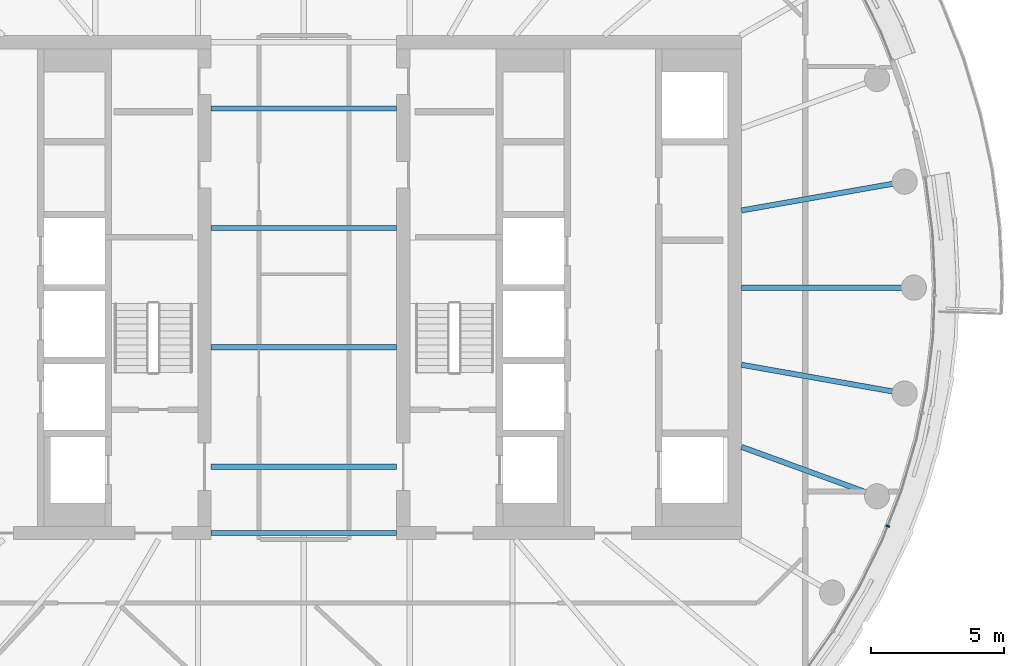
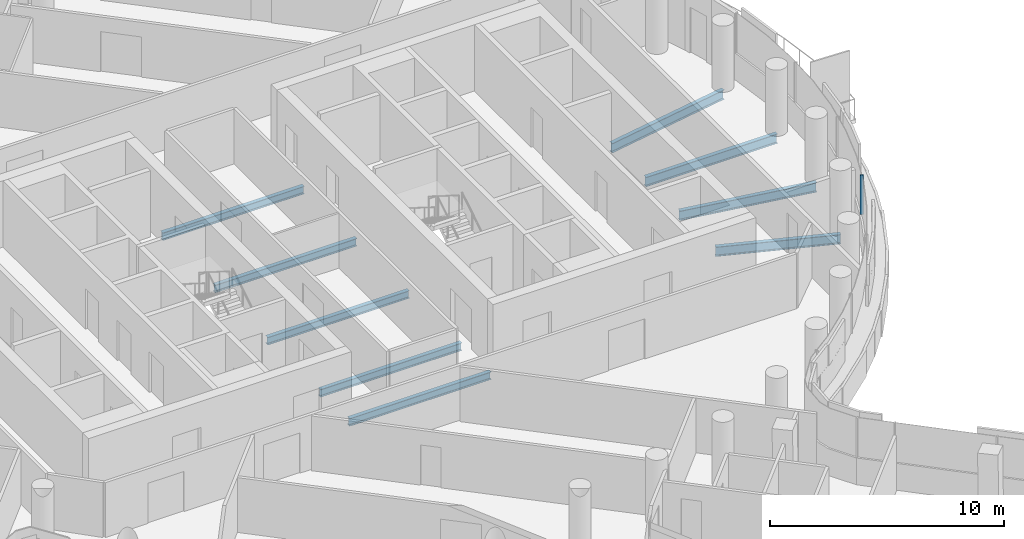
# One storey, part 9 of 30: 9 beams, 1 member, 1 element without a shape of its own.
"""IFC4 building model written with IfcOpenShell, lengths in metres."""

import ifcopenshell
import ifcopenshell.guid

model = None  # the IFC model being written
_history = None  # IfcOwnerHistory: only IFC2X3 demands one
_inside = {}  # id of a spatial element -> (the spatial element, [elements in it])
_under = {}  # id of a project, library or spatial element -> (it, [spatial elements below it])
_declared = {}  # id of a project -> (the project, [libraries it declares])
_typed = {}  # id of a type object -> (the type object, [elements of that type])
_made_of = {}  # id of a material, layer set ... -> (it, [elements and type objects made of it])


def new_model(schema):
    """Start an empty IFC model of exactly this schema.

    Asked for "IFC4X3", IfcOpenShell would pick the latest addendum, in which some entities
    have other attributes; the version numbers below select the first issue.
    IFC2X3 requires an IfcOwnerHistory on every rooted entity: one is made here for all.
    """
    global model, _history
    if schema == "IFC4X3":
        model = ifcopenshell.file(schema_version=(4, 3, 0, 0))
    else:
        model = ifcopenshell.file(schema=schema)
    _inside.clear()
    _under.clear()
    _declared.clear()
    _typed.clear()
    _made_of.clear()
    _history = None
    if model.schema == "IFC2X3":
        org = make("IfcOrganization", Name="unknown")
        user = make(
            "IfcPersonAndOrganization",
            ThePerson=make("IfcPerson", FamilyName="unknown"),
            TheOrganization=org,
        )
        app = make(
            "IfcApplication",
            ApplicationDeveloper=org,
            Version="unknown",
            ApplicationFullName="unknown",
            ApplicationIdentifier="unknown",
        )
        _history = make(
            "IfcOwnerHistory",
            OwningUser=user,
            OwningApplication=app,
            ChangeAction="ADDED",
            CreationDate=0,
        )
    return model


def make(cls, **values):
    """One entity of the class cls with the attributes given. An attribute that is None is left unset."""
    return model.create_entity(
        cls, **{name: value for name, value in values.items() if value is not None}
    )


def rooted(cls, **values):
    """An entity with a GlobalId (a new one), such as an element, a storey or a relation."""
    return make(cls, GlobalId=ifcopenshell.guid.new(), OwnerHistory=_history, **values)


def si_unit(unit_type, name, prefix=None):
    """IfcSIUnit, for example si_unit("LENGTHUNIT", "METRE", prefix="MILLI")."""
    return make("IfcSIUnit", UnitType=unit_type, Prefix=prefix, Name=name)


def assignment(units):
    """IfcUnitAssignment: the units of a project."""
    return None if units is None else make("IfcUnitAssignment", Units=units)


def point(xyz):
    """IfcCartesianPoint."""
    return None if xyz is None else make("IfcCartesianPoint", Coordinates=xyz)


def direction(xyz):
    """IfcDirection."""
    return None if xyz is None else make("IfcDirection", DirectionRatios=xyz)


def frame(location, z_axis=None, x_axis=None):
    """IfcAxis2Placement3D, a coordinate frame: its origin and axes. An axis left out is left unset."""
    return make(
        "IfcAxis2Placement3D",
        Location=point(location),
        Axis=direction(z_axis),
        RefDirection=direction(x_axis),
    )


def frame_2d(location, x_axis=None):
    """IfcAxis2Placement2D, a coordinate frame in the plane: its origin and x axis."""
    return make(
        "IfcAxis2Placement2D", Location=point(location), RefDirection=direction(x_axis)
    )


def origin():
    """The frame at (0, 0, 0) with its axes left unset."""
    return frame((0.0, 0.0, 0.0))


def origin_2d():
    """The frame at (0, 0) in the plane with its x axis left unset."""
    return frame_2d((0.0, 0.0))


def place(relative_to, where):
    """IfcLocalPlacement: puts the frame where relative to a parent placement (None: the world)."""
    return make(
        "IfcLocalPlacement", PlacementRelTo=relative_to, RelativePlacement=where
    )


def context(
    kind, dimensions, precision=None, world=None, true_north=None, identifier=None
):
    """IfcGeometricRepresentationContext, for example the 3D "Model" context."""
    return make(
        "IfcGeometricRepresentationContext",
        ContextIdentifier=identifier,
        ContextType=kind,
        CoordinateSpaceDimension=dimensions,
        Precision=precision,
        WorldCoordinateSystem=world,
        TrueNorth=true_north,
    )


def subcontext(parent, identifier, kind, view, scale=None):
    """IfcGeometricRepresentationSubContext, for example "Body" below "Model"."""
    return make(
        "IfcGeometricRepresentationSubContext",
        ContextIdentifier=identifier,
        ContextType=kind,
        ParentContext=parent,
        TargetScale=scale,
        TargetView=view,
    )


def project(units=None, contexts=None):
    """IfcProject with its units and contexts."""
    return rooted(
        "IfcProject",
        Name="project",
        RepresentationContexts=contexts,
        UnitsInContext=assignment(units),
    )


def spatial(cls, under=None, at=None, **own):
    """A site, building, storey or space (cls), placed at a placement, below another one or the project."""
    s = rooted(cls, ObjectPlacement=at, **own)
    if under is not None:
        _under.setdefault(under.id(), (under, []))[1].append(s)
    return s


def profile(cls, at=None, kind="AREA", **sizes):
    """A parametric profile (cls). Its sizes go by their IFC names, for example OverallWidth=200.0."""
    return make(cls, ProfileType=kind, Position=at, **sizes)


def rectangle(**sizes):
    """IfcRectangleProfileDef."""
    return profile("IfcRectangleProfileDef", **sizes)


def i_section(**sizes):
    """IfcIShapeProfileDef."""
    return profile("IfcIShapeProfileDef", **sizes)


def extrude(swept, where, along, depth):
    """IfcExtrudedAreaSolid: the profile swept, set in the frame where, extruded along a direction by depth."""
    return make(
        "IfcExtrudedAreaSolid",
        SweptArea=swept,
        Position=where,
        ExtrudedDirection=direction(along),
        Depth=depth,
    )


def shape(context_of_items, identifier, shape_type, items):
    """IfcShapeRepresentation: the items that make up one representation, for example the "Body"."""
    return make(
        "IfcShapeRepresentation",
        ContextOfItems=context_of_items,
        RepresentationIdentifier=identifier,
        RepresentationType=shape_type,
        Items=items,
    )


def material(Name=None, Category=None):
    """IfcMaterial."""
    return make("IfcMaterial", Name=Name, Category=Category)


def layer(
    of_material, thickness, ventilated=None, Name=None, Category=None, Priority=None
):
    """IfcMaterialLayer: one layer of a wall or slab, of a material (None: an air gap)."""
    return make(
        "IfcMaterialLayer",
        Material=of_material,
        LayerThickness=thickness,
        IsVentilated=ventilated,
        Name=Name,
        Category=Category,
        Priority=Priority,
    )


def layer_set(layers, Name=None):
    """IfcMaterialLayerSet."""
    return make("IfcMaterialLayerSet", MaterialLayers=layers, LayerSetName=Name)


def material_profile(
    of_material, cross_section, Name=None, Category=None, Priority=None
):
    """IfcMaterialProfile: a cross section and its material."""
    return make(
        "IfcMaterialProfile",
        Name=Name,
        Material=of_material,
        Profile=cross_section,
        Priority=Priority,
        Category=Category,
    )


def profile_set(profiles, Name=None, composite=None):
    """IfcMaterialProfileSet."""
    return make(
        "IfcMaterialProfileSet",
        Name=Name,
        MaterialProfiles=profiles,
        CompositeProfile=composite,
    )


def made_of(thing, what):
    """Note that an element or type object is made of a material, layer set ...; save() writes the relation."""
    if what is not None:
        _made_of.setdefault(what.id(), (what, []))[1].append(thing)
    return thing


def type_object(cls, material=None, **own):
    """A type object (cls), such as IfcWallType, which elements share."""
    return made_of(rooted(cls, **own), material)


def element(
    cls,
    number,
    at=None,
    inside=None,
    cuts=None,
    type_object=None,
    material=None,
    context=None,
    identifier="Body",
    shape_type=None,
    held_by="IfcProductDefinitionShape",
    body=None,
    shapes=None,
    **own,
):
    """One element of the class cls, such as IfcWall. Its Tag is "e" and its number.

    at: its placement. inside: the storey or other place that contains it. cuts: it is an
    opening in that element (IfcRelVoidsElement). A single representation is given by context,
    identifier, shape_type and body (its items); several are given by shapes. held_by: the class
    of the entity that holds the representations. save() writes the other relations.
    """
    e = rooted(cls, Tag="e%d" % number, ObjectPlacement=at, **own)
    if body is not None:
        shapes = [shape(context, identifier, shape_type, body)]
    if shapes is not None:
        e.Representation = make(held_by, Representations=shapes)
    if inside is not None:
        _inside.setdefault(inside.id(), (inside, []))[1].append(e)
    if cuts is not None:
        rooted(
            "IfcRelVoidsElement", RelatingBuildingElement=cuts, RelatedOpeningElement=e
        )
    if type_object is not None:
        _typed.setdefault(type_object.id(), (type_object, []))[1].append(e)
    return made_of(e, material)


def aggregate(whole, parts):
    """IfcRelAggregates: a whole, such as a stair, and the parts it consists of."""
    return rooted("IfcRelAggregates", RelatingObject=whole, RelatedObjects=parts)


def save(model, path):
    """Write the relations noted so far, then the file.

    IfcRelAggregates (storeys below a building ...), IfcRelContainedInSpatialStructure (elements
    in a storey), IfcRelDefinesByType, IfcRelAssociatesMaterial and IfcRelDeclares: one each for
    every whole, place, type object, material and project.
    """
    for whole, parts in _under.values():
        aggregate(whole, parts)
    for where, things in _inside.values():
        rooted(
            "IfcRelContainedInSpatialStructure",
            RelatedElements=things,
            RelatingStructure=where,
        )
    for kind, things in _typed.values():
        rooted("IfcRelDefinesByType", RelatedObjects=things, RelatingType=kind)
    for what, things in _made_of.values():
        rooted("IfcRelAssociatesMaterial", RelatedObjects=things, RelatingMaterial=what)
    for by, libraries in _declared.values():
        rooted("IfcRelDeclares", RelatingContext=by, RelatedDefinitions=libraries)
    model.write(path)


model = new_model("IFC4")

# Units and contexts
model_context = context("Model", 3, precision=1e-05, world=origin(), true_north=direction((0.0, 1.0)))
body_context = subcontext(model_context, "Body", "Model", "MODEL_VIEW")
ifc_project = project(units=[si_unit("LENGTHUNIT", "METRE"), si_unit("AREAUNIT", "SQUARE_METRE"), si_unit("VOLUMEUNIT", "CUBIC_METRE"), si_unit("PLANEANGLEUNIT", "RADIAN"), si_unit("MASSUNIT", "GRAM", prefix="KILO")], contexts=[model_context])

# Site, building, storey
site_placement = place(None, origin())
site = spatial("IfcSite", under=ifc_project, at=site_placement, CompositionType="ELEMENT")
building_placement = place(site_placement, origin())
building = spatial("IfcBuilding", under=site, at=building_placement, Name="Tamarind Cross Interchange Tower", CompositionType="ELEMENT")
storey_placement = place(building_placement, frame((0.0, 0.0, 204.10009765625)))
storey = spatial("IfcBuildingStorey", under=building, at=storey_placement, Name="L51", CompositionType="ELEMENT", Elevation=204.10009765625)

# Beams
ifc_material_1 = material(Name="Steel Q355B", Category="steel")
ifc_material_profile_1 = material_profile(ifc_material_1, i_section(OverallWidth=0.199951171875, OverallDepth=0.39990234375, WebThickness=0.008056640625, FlangeThickness=0.012939453125, FilletRadius=0.01611328125, at=origin_2d()), Name="HN 400x200x8x13")
ifc_profile_set_1 = profile_set([ifc_material_profile_1], Name="Steel Q355B")
beam_type_1 = type_object("IfcBeamType", Name="Composite beam HN 400x200x8x13 Q355B", PredefinedType="BEAM", material=ifc_profile_set_1)
for number, where, z_axis, x_axis, name in (
    (1, (-3.5, -2.25, -0.340087890625), (1.0, 0.0, 0.0), (0.0, 1.0, 0.0), "Beam G-2.25"),
    (2, (-3.5, -6.75, -0.340087890625), (1.0, 0.0, 0.0), (0.0, 1.0, 0.0), "Beam G-6.75"),
    (3, (-3.5, -9.25, -0.340087890625), (1.0, 0.0, 0.0), (0.0, 1.0, 0.0), "Beam G-9.25"),
    (4, (-3.5, 2.25, -0.340087890625), (1.0, 0.0, 0.0), (0.0, 1.0, 0.0), "Beam G2.25"),
    (5, (-3.5, 6.75, -0.340087890625), (1.0, 0.0, 0.0), (0.0, 1.0, 0.0), "Beam G6.75"),
):
    element("IfcBeam", number, at=place(storey_placement, frame(where, z_axis=z_axis, x_axis=x_axis)), inside=storey, type_object=beam_type_1, Name=name, PredefinedType="BEAM", context=body_context, shape_type="SweptSolid", body=[
        extrude(i_section(OverallWidth=0.199951171875, OverallDepth=0.39990234375, WebThickness=0.008056640625, FlangeThickness=0.012939453125, FilletRadius=0.01611328125, at=origin_2d()), origin(), (0.0, 0.0, 1.0), 7.0),
    ])
ifc_material_profile_2 = material_profile(ifc_material_1, i_section(OverallWidth=0.198974609375, OverallDepth=0.49609375, WebThickness=0.009033203125, FlangeThickness=0.013916015625, FilletRadius=0.012939453125, at=origin_2d()), Name="HN 496x199x9x14")
ifc_profile_set_2 = profile_set([ifc_material_profile_2], Name="Steel Q355B")
beam_type_2 = type_object("IfcBeamType", Name="Composite beam HN 496x199x9x14 Q355B", PredefinedType="BEAM", material=ifc_profile_set_2)
beam_1_placement = place(storey_placement, frame((23.0, 0.0, -0.38818359375), z_axis=(-1.0, 0.0, 0.0), x_axis=(0.0, -1.0, 0.0)))
element("IfcBeam", 6, at=beam_1_placement, inside=storey, type_object=beam_type_2, Name="Beam HH00", PredefinedType="BEAM", context=body_context, shape_type="SweptSolid", body=[
    extrude(i_section(OverallWidth=0.198974609375, OverallDepth=0.49609375, WebThickness=0.009033203125, FlangeThickness=0.013916015625, FilletRadius=0.012939453125, at=origin_2d()), origin(), (0.0, 0.0, 1.0), 6.5),
])
beam_2_placement = place(storey_placement, frame((22.650634765625, 3.993896484375, -0.38818359375), z_axis=(-0.984809127561, -0.173640382036, 0.0), x_axis=(0.173640382036, -0.984809127561, 0.0)))
element("IfcBeam", 7, at=beam_2_placement, inside=storey, type_object=beam_type_2, Name="Beam HH01", PredefinedType="BEAM", context=body_context, shape_type="SweptSolid", body=[
    extrude(i_section(OverallWidth=0.198974609375, OverallDepth=0.49609375, WebThickness=0.009033203125, FlangeThickness=0.013916015625, FilletRadius=0.012939453125, at=origin_2d()), origin(), (0.0, 0.0, 1.0), 6.24560546875),
])
beam_3_placement = place(storey_placement, frame((21.613037109375, -7.866455078125, -0.38818359375), z_axis=(-0.939701685589, 0.341995236956, 0.0), x_axis=(-0.341995236956, -0.939701685589, 0.0)))
element("IfcBeam", 8, at=beam_3_placement, inside=storey, type_object=beam_type_2, Name="Beam HH34", PredefinedType="BEAM", context=body_context, shape_type="SweptSolid", body=[
    extrude(i_section(OverallWidth=0.198974609375, OverallDepth=0.49609375, WebThickness=0.009033203125, FlangeThickness=0.013916015625, FilletRadius=0.012939453125, at=origin_2d()), origin(), (0.0, 0.0, 1.0), 5.441162109375),
])
beam_4_placement = place(storey_placement, frame((22.650634765625, -3.993896484375, -0.38818359375), z_axis=(-0.984809127561, 0.173640382036, 0.0), x_axis=(-0.173640382036, -0.984809127561, 0.0)))
element("IfcBeam", 9, at=beam_4_placement, inside=storey, type_object=beam_type_2, Name="Beam HH35", PredefinedType="BEAM", context=body_context, shape_type="SweptSolid", body=[
    extrude(i_section(OverallWidth=0.198974609375, OverallDepth=0.49609375, WebThickness=0.009033203125, FlangeThickness=0.013916015625, FilletRadius=0.012939453125, at=origin_2d()), origin(), (0.0, 0.0, 1.0), 6.24560546875),
])

# Curtain wall, member
ifc_material_2 = material(Name="Aluminium 6063-T6", Category="aluminium")
ifc_layer = layer(ifc_material_2, 0.139892578125)
ifc_layer_set = layer_set([ifc_layer], Name="Aluminium 6063-T6")
curtain_wall_type = type_object("IfcCurtainWallType", Name="Hotel curtain wall, 4.5 m bays", PredefinedType="NOTDEFINED", material=ifc_layer_set)
curtain_wall_placement = place(storey_placement, origin())
curtain_wall = element("IfcCurtainWall", 10, at=curtain_wall_placement, inside=storey, type_object=curtain_wall_type, Name="CWS-L51-06", PredefinedType="NOTDEFINED")
ifc_material_profile_3 = material_profile(ifc_material_2, rectangle(XDim=0.06005859375, YDim=0.139892578125, at=origin_2d()), Name="Mullion CW2")
ifc_profile_set_3 = profile_set([ifc_material_profile_3], Name="Aluminium 6063-T6")
member_type = type_object("IfcMemberType", Name="Mullion CW2", PredefinedType="MULLION", material=ifc_profile_set_3)
member_placement = place(storey_placement, frame((22.014892578125, -8.991455078125, 1.39990234375), z_axis=(0.0, 0.0, 1.0), x_axis=(0.359495435512, 0.933146843667, 0.0)))
member = element("IfcMember", 11, at=member_placement, type_object=member_type, Name="CWM-L51-06-04", PredefinedType="MULLION", context=body_context, shape_type="SweptSolid", body=[
    extrude(rectangle(XDim=0.06005859375, YDim=0.139892578125, at=origin_2d()), origin(), (0.0, 0.0, 1.0), 2.06005859375),
])
aggregate(curtain_wall, [member])

save(model, "model.ifc")
